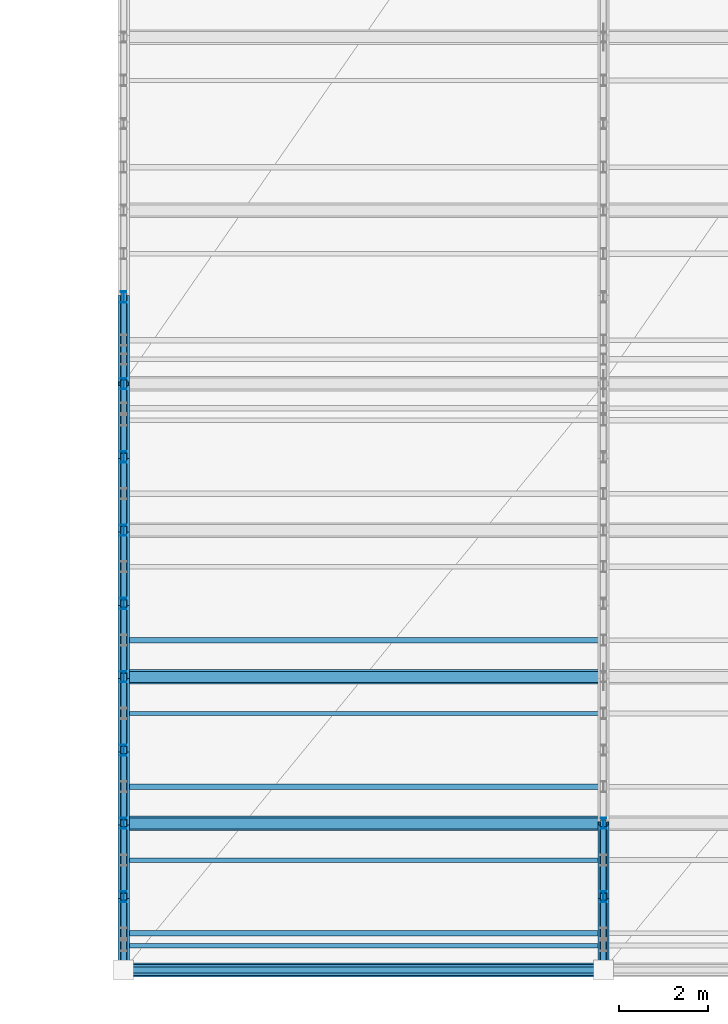
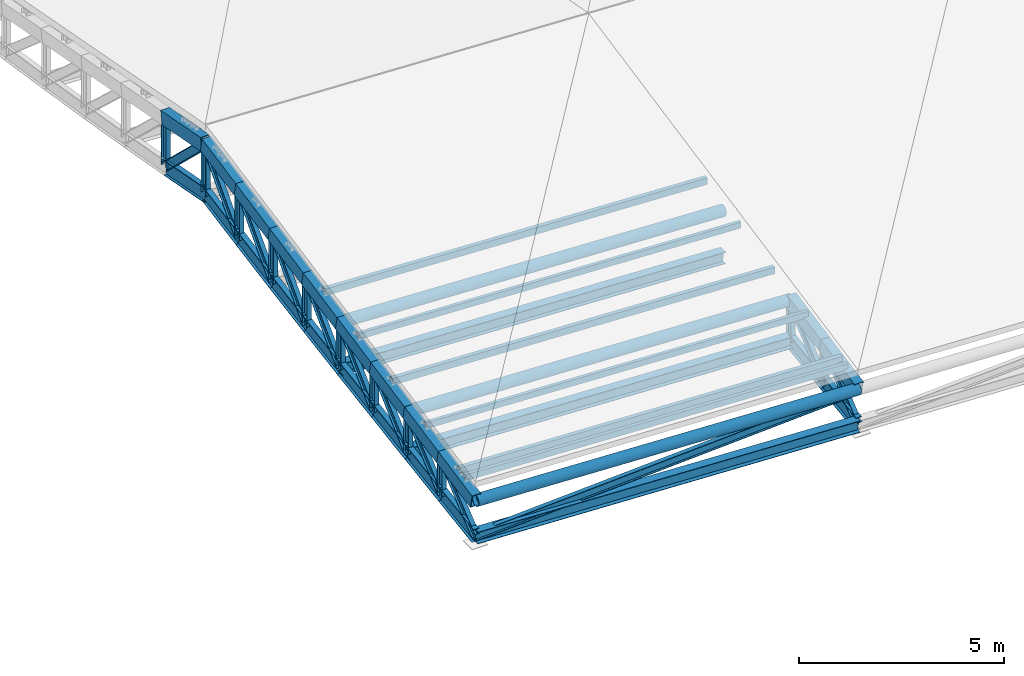
# One storey, part 13 of 89: 35 members, 22 beams.
"""IFC4 building model written with IfcOpenShell, lengths in metres."""

from ifc_helpers import new_model, si_unit, direction, frame, origin, origin_2d, place, context, subcontext, project, spatial, hollow_rectangle, hollow_circle, i_section, extrude, material, material_profile, profile_set, type_object, element, save


model = new_model("IFC4")

# Units and contexts
model_context = context("Model", 3, precision=1e-05, world=origin(), true_north=direction((0.0, 1.0)))
body_context = subcontext(model_context, "Body", "Model", "MODEL_VIEW")
ifc_project = project(units=[si_unit("LENGTHUNIT", "METRE"), si_unit("AREAUNIT", "SQUARE_METRE"), si_unit("VOLUMEUNIT", "CUBIC_METRE"), si_unit("PLANEANGLEUNIT", "RADIAN"), si_unit("MASSUNIT", "GRAM", prefix="KILO")], contexts=[model_context])

# Site, building, storey
site_placement = place(None, origin())
site = spatial("IfcSite", under=ifc_project, at=site_placement, CompositionType="ELEMENT")
building_placement = place(site_placement, origin())
building = spatial("IfcBuilding", under=site, at=building_placement, Name="Suirenkawa Promenade Aquatics Centre", CompositionType="ELEMENT")
storey_placement = place(building_placement, frame((0.0, 0.0, 9.60009765625)))
storey = spatial("IfcBuildingStorey", under=building, at=storey_placement, Name="L02", CompositionType="ELEMENT", Elevation=9.60009765625)

# Beams
ifc_material = material(Name="Steel IS 2062 E350 (Grade 350)", Category="steel")
ifc_material_profile_1 = material_profile(ifc_material, i_section(OverallWidth=0.14990234375, OverallDepth=0.449951171875, WebThickness=0.009033203125, FlangeThickness=0.01708984375, at=origin_2d()), Name="ISMB 450", Category="steel")
ifc_profile_set_1 = profile_set([ifc_material_profile_1], Name="Steel IS 2062 E350 (Grade 350)")
beam_type_1 = type_object("IfcBeamType", Name="BT-STL-ISMB450", PredefinedType="BEAM", material=ifc_profile_set_1)
beam_1_placement = place(storey_placement, frame((79.199951171875, 0.0, -1.260009765625), z_axis=(0.0, 0.988714190876, 0.149814047271), x_axis=(-1.0, 0.0, 0.0)))
element("IfcBeam", 1, at=beam_1_placement, inside=storey, type_object=beam_type_1, Name="ROOF TRUSS V3 bottom chord BM-08 BM-2576", PredefinedType="BEAM", context=body_context, shape_type="SweptSolid", body=[
    extrude(i_section(OverallWidth=0.14990234375, OverallDepth=0.449951171875, WebThickness=0.009033203125, FlangeThickness=0.01708984375, at=origin_2d()), origin(), (0.0, 0.0, 1.0), 1.668701171875),
])
beam_2_placement = place(storey_placement, frame((79.199951171875, 1.64990234375, -1.010009765625), z_axis=(0.0, 0.988368316367, 0.152079160974), x_axis=(-1.0, 0.0, 0.0)))
element("IfcBeam", 2, at=beam_2_placement, inside=storey, type_object=beam_type_1, Name="ROOF TRUSS V3 bottom chord BM-08 BM-2578", PredefinedType="BEAM", context=body_context, shape_type="SweptSolid", body=[
    extrude(i_section(OverallWidth=0.14990234375, OverallDepth=0.449951171875, WebThickness=0.009033203125, FlangeThickness=0.01708984375, at=origin_2d()), origin(), (0.0, 0.0, 1.0), 1.669677734375),
])
beam_3_placement = place(storey_placement, frame((79.199951171875, 3.300048828125, -0.756103515625), z_axis=(0.0, 0.987898893067, 0.155099249119), x_axis=(-1.0, 0.0, 0.0)))
element("IfcBeam", 3, at=beam_3_placement, inside=storey, type_object=beam_type_1, Name="ROOF TRUSS V3 bottom chord BM-08 BM-2580", PredefinedType="BEAM", context=body_context, shape_type="SweptSolid", body=[
    extrude(i_section(OverallWidth=0.14990234375, OverallDepth=0.449951171875, WebThickness=0.009033203125, FlangeThickness=0.01708984375, at=origin_2d()), origin(), (0.0, 0.0, 1.0), 1.670166015625),
])
beam_4_placement = place(storey_placement, frame((79.199951171875, 4.949951171875, -0.4970703125), z_axis=(0.0, 0.987359371107, 0.158497546627), x_axis=(-1.0, 0.0, 0.0)))
element("IfcBeam", 4, at=beam_4_placement, inside=storey, type_object=beam_type_1, Name="ROOF TRUSS V3 bottom chord BM-08 BM-2582", PredefinedType="BEAM", context=body_context, shape_type="SweptSolid", body=[
    extrude(i_section(OverallWidth=0.14990234375, OverallDepth=0.449951171875, WebThickness=0.009033203125, FlangeThickness=0.01708984375, at=origin_2d()), origin(), (0.0, 0.0, 1.0), 1.67138671875),
])
beam_5_placement = place(storey_placement, frame((79.199951171875, 6.60009765625, -0.232177734375), z_axis=(0.0, 0.986283257841, 0.165061610627), x_axis=(-1.0, 0.0, 0.0)))
element("IfcBeam", 5, at=beam_5_placement, inside=storey, type_object=beam_type_1, Name="ROOF TRUSS V3 bottom chord BM-08 BM-2584", PredefinedType="BEAM", context=body_context, shape_type="SweptSolid", body=[
    extrude(i_section(OverallWidth=0.14990234375, OverallDepth=0.449951171875, WebThickness=0.009033203125, FlangeThickness=0.01708984375, at=origin_2d()), origin(), (0.0, 0.0, 1.0), 1.6728515625),
])
beam_6_placement = place(storey_placement, frame((79.199951171875, 8.25, 0.0439453125), z_axis=(0.0, 0.985219243782, 0.171298107642), x_axis=(-1.0, 0.0, 0.0)))
element("IfcBeam", 6, at=beam_6_placement, inside=storey, type_object=beam_type_1, Name="ROOF TRUSS V3 bottom chord BM-08 BM-2586", PredefinedType="BEAM", context=body_context, shape_type="SweptSolid", body=[
    extrude(i_section(OverallWidth=0.14990234375, OverallDepth=0.449951171875, WebThickness=0.009033203125, FlangeThickness=0.01708984375, at=origin_2d()), origin(), (0.0, 0.0, 1.0), 1.674560546875),
])
beam_7_placement = place(storey_placement, frame((79.199951171875, 9.89990234375, 0.330810546875), z_axis=(0.0, 0.983867580991, 0.178898247823), x_axis=(-1.0, 0.0, 0.0)))
element("IfcBeam", 7, at=beam_7_placement, inside=storey, type_object=beam_type_1, Name="ROOF TRUSS V3 bottom chord BM-08 BM-2588", PredefinedType="BEAM", context=body_context, shape_type="SweptSolid", body=[
    extrude(i_section(OverallWidth=0.14990234375, OverallDepth=0.449951171875, WebThickness=0.009033203125, FlangeThickness=0.01708984375, at=origin_2d()), origin(), (0.0, 0.0, 1.0), 1.67724609375),
])
beam_8_placement = place(storey_placement, frame((79.199951171875, 11.550048828125, 0.630859375), z_axis=(0.0, 0.982478263587, 0.186377202415), x_axis=(-1.0, 0.0, 0.0)))
element("IfcBeam", 8, at=beam_8_placement, inside=storey, type_object=beam_type_1, Name="ROOF TRUSS V3 bottom chord BM-08 BM-2590", PredefinedType="BEAM", context=body_context, shape_type="SweptSolid", body=[
    extrude(i_section(OverallWidth=0.14990234375, OverallDepth=0.449951171875, WebThickness=0.009033203125, FlangeThickness=0.01708984375, at=origin_2d()), origin(), (0.0, 0.0, 1.0), 1.679443359375),
])
beam_9_placement = place(storey_placement, frame((79.199951171875, 13.199951171875, 0.94384765625), z_axis=(0.0, 0.982391279596, -0.186835151334), x_axis=(-1.0, 0.0, 0.0)))
element("IfcBeam", 9, at=beam_9_placement, inside=storey, type_object=beam_type_1, Name="ROOF TRUSS V3 bottom chord BM-08 BM-2592", PredefinedType="BEAM", context=body_context, shape_type="SweptSolid", body=[
    extrude(i_section(OverallWidth=0.14990234375, OverallDepth=0.449951171875, WebThickness=0.009033203125, FlangeThickness=0.01708984375, at=origin_2d()), origin(), (0.0, 0.0, 1.0), 1.98486328125),
])
beam_10_placement = place(storey_placement, frame((90.0, 0.0, -1.710205078125), z_axis=(0.0, 0.988714190876, 0.149814047271), x_axis=(-1.0, 0.0, 0.0)))
element("IfcBeam", 10, at=beam_10_placement, inside=storey, type_object=beam_type_1, Name="ROOF TRUSS V3 bottom chord BM-08 BM-2608", PredefinedType="BEAM", context=body_context, shape_type="SweptSolid", body=[
    extrude(i_section(OverallWidth=0.14990234375, OverallDepth=0.449951171875, WebThickness=0.009033203125, FlangeThickness=0.01708984375, at=origin_2d()), origin(), (0.0, 0.0, 1.0), 1.668701171875),
])
beam_11_placement = place(storey_placement, frame((90.0, 1.64990234375, -1.460205078125), z_axis=(0.0, 0.988346326675, 0.152222004153), x_axis=(-1.0, 0.0, 0.0)))
element("IfcBeam", 11, at=beam_11_placement, inside=storey, type_object=beam_type_1, Name="ROOF TRUSS V3 bottom chord BM-08 BM-2610", PredefinedType="BEAM", context=body_context, shape_type="SweptSolid", body=[
    extrude(i_section(OverallWidth=0.14990234375, OverallDepth=0.449951171875, WebThickness=0.009033203125, FlangeThickness=0.01708984375, at=origin_2d()), origin(), (0.0, 0.0, 1.0), 1.669677734375),
])
ifc_material_profile_2 = material_profile(ifc_material, hollow_rectangle(XDim=0.25, YDim=0.39990234375, WallThickness=0.01611328125, at=origin_2d()), Name="RHS 400x250x16", Category="steel")
ifc_profile_set_2 = profile_set([ifc_material_profile_2], Name="Steel IS 2062 E350 (Grade 350)")
beam_type_2 = type_object("IfcBeamType", Name="BT-TC-RHS400", PredefinedType="BEAM", material=ifc_profile_set_2)
beam_12_placement = place(storey_placement, frame((79.199951171875, 0.0, -0.210205078125), z_axis=(0.0, 0.980457722696, 0.196729901151), x_axis=(-1.0, 0.0, 0.0)))
element("IfcBeam", 12, at=beam_12_placement, inside=storey, type_object=beam_type_2, Name="ROOF TRUSS V3 top chord TC-03 BM-2575", PredefinedType="BEAM", context=body_context, shape_type="SweptSolid", body=[
    extrude(hollow_rectangle(XDim=0.25, YDim=0.39990234375, WallThickness=0.01611328125, at=origin_2d()), origin(), (0.0, 0.0, 1.0), 1.682861328125),
])
beam_13_placement = place(storey_placement, frame((79.199951171875, 1.64990234375, 0.120849609375), z_axis=(0.0, 0.980351285841, 0.197259616621), x_axis=(-1.0, 0.0, 0.0)))
element("IfcBeam", 13, at=beam_13_placement, inside=storey, type_object=beam_type_2, Name="ROOF TRUSS V3 top chord TC-03 BM-2577", PredefinedType="BEAM", context=body_context, shape_type="SweptSolid", body=[
    extrude(hollow_rectangle(XDim=0.25, YDim=0.39990234375, WallThickness=0.01611328125, at=origin_2d()), origin(), (0.0, 0.0, 1.0), 1.68310546875),
])
beam_14_placement = place(storey_placement, frame((79.199951171875, 3.300048828125, 0.452880859375), z_axis=(0.0, 0.980457722696, 0.196729901151), x_axis=(-1.0, 0.0, 0.0)))
element("IfcBeam", 14, at=beam_14_placement, inside=storey, type_object=beam_type_2, Name="ROOF TRUSS V3 top chord TC-03 BM-2579", PredefinedType="BEAM", context=body_context, shape_type="SweptSolid", body=[
    extrude(hollow_rectangle(XDim=0.25, YDim=0.39990234375, WallThickness=0.01611328125, at=origin_2d()), origin(), (0.0, 0.0, 1.0), 1.682861328125),
])
beam_15_placement = place(storey_placement, frame((79.199951171875, 4.949951171875, 0.783935546875), z_axis=(0.0, 0.980463336519, 0.196701921042), x_axis=(-1.0, 0.0, 0.0)))
element("IfcBeam", 15, at=beam_15_placement, inside=storey, type_object=beam_type_2, Name="ROOF TRUSS V3 top chord TC-03 BM-2581", PredefinedType="BEAM", context=body_context, shape_type="SweptSolid", body=[
    extrude(hollow_rectangle(XDim=0.25, YDim=0.39990234375, WallThickness=0.01611328125, at=origin_2d()), origin(), (0.0, 0.0, 1.0), 1.68310546875),
])
for number, where, z_axis, x_axis, name in (
    (16, (79.199951171875, 6.60009765625, 1.114990234375), (0.0, 0.980485697583, 0.196590429154), (-1.0, 0.0, 0.0), "ROOF TRUSS V3 top chord TC-03 BM-2583"),
    (17, (79.199951171875, 8.25, 1.44580078125), (0.0, 0.980345640785, 0.197287669646), (-1.0, 0.0, 0.0), "ROOF TRUSS V3 top chord TC-03 BM-2585"),
):
    element("IfcBeam", number, at=place(storey_placement, frame(where, z_axis=z_axis, x_axis=x_axis)), inside=storey, type_object=beam_type_2, Name=name, PredefinedType="BEAM", context=body_context, shape_type="SweptSolid", body=[
        extrude(hollow_rectangle(XDim=0.25, YDim=0.39990234375, WallThickness=0.01611328125, at=origin_2d()), origin(), (0.0, 0.0, 1.0), 1.682861328125),
    ])
beam_16_placement = place(storey_placement, frame((79.199951171875, 9.89990234375, 1.77783203125), z_axis=(0.0, 0.980463336519, 0.196701921042), x_axis=(-1.0, 0.0, 0.0)))
element("IfcBeam", 18, at=beam_16_placement, inside=storey, type_object=beam_type_2, Name="ROOF TRUSS V3 top chord TC-03 BM-2587", PredefinedType="BEAM", context=body_context, shape_type="SweptSolid", body=[
    extrude(hollow_rectangle(XDim=0.25, YDim=0.39990234375, WallThickness=0.01611328125, at=origin_2d()), origin(), (0.0, 0.0, 1.0), 1.68310546875),
])
beam_17_placement = place(storey_placement, frame((79.199951171875, 11.550048828125, 2.10888671875), z_axis=(0.0, 0.980457722696, 0.196729901151), x_axis=(-1.0, 0.0, 0.0)))
element("IfcBeam", 19, at=beam_17_placement, inside=storey, type_object=beam_type_2, Name="ROOF TRUSS V3 top chord TC-03 BM-2589", PredefinedType="BEAM", context=body_context, shape_type="SweptSolid", body=[
    extrude(hollow_rectangle(XDim=0.25, YDim=0.39990234375, WallThickness=0.01611328125, at=origin_2d()), origin(), (0.0, 0.0, 1.0), 1.682861328125),
])
beam_18_placement = place(storey_placement, frame((79.199951171875, 13.199951171875, 2.43994140625), z_axis=(0.0, 0.98254898431, -0.186004014558), x_axis=(-1.0, 0.0, 0.0)))
element("IfcBeam", 20, at=beam_18_placement, inside=storey, type_object=beam_type_2, Name="ROOF TRUSS V3 top chord TC-03 BM-2591", PredefinedType="BEAM", context=body_context, shape_type="SweptSolid", body=[
    extrude(hollow_rectangle(XDim=0.25, YDim=0.39990234375, WallThickness=0.01611328125, at=origin_2d()), origin(), (0.0, 0.0, 1.0), 1.984619140625),
])
beam_19_placement = place(storey_placement, frame((90.0, 0.0, -0.66015625), z_axis=(0.0, 0.980457722696, 0.196729901151), x_axis=(-1.0, 0.0, 0.0)))
element("IfcBeam", 21, at=beam_19_placement, inside=storey, type_object=beam_type_2, Name="ROOF TRUSS V3 top chord TC-03 BM-2607", PredefinedType="BEAM", context=body_context, shape_type="SweptSolid", body=[
    extrude(hollow_rectangle(XDim=0.25, YDim=0.39990234375, WallThickness=0.01611328125, at=origin_2d()), origin(), (0.0, 0.0, 1.0), 1.682861328125),
])
beam_20_placement = place(storey_placement, frame((90.0, 1.64990234375, -0.3291015625), z_axis=(0.0, 0.980351285841, 0.197259616621), x_axis=(-1.0, 0.0, 0.0)))
element("IfcBeam", 22, at=beam_20_placement, inside=storey, type_object=beam_type_2, Name="ROOF TRUSS V3 top chord TC-03 BM-2609", PredefinedType="BEAM", context=body_context, shape_type="SweptSolid", body=[
    extrude(hollow_rectangle(XDim=0.25, YDim=0.39990234375, WallThickness=0.01611328125, at=origin_2d()), origin(), (0.0, 0.0, 1.0), 1.68310546875),
])

# Members
ifc_material_profile_3 = material_profile(ifc_material, hollow_circle(Radius=0.162109375, WallThickness=0.013916015625, at=origin_2d()), Name="CHS 324x14", Category="steel")
ifc_profile_set_3 = profile_set([ifc_material_profile_3], Name="Steel IS 2062 E350 (Grade 350)")
member_type_1 = type_object("IfcMemberType", Name="MT-CHORD-CHS324", PredefinedType="CHORD", material=ifc_profile_set_3)
for number, where, z_axis, x_axis, name in (
    (23, (79.199951171875, 0.0, -0.210205078125), (0.9991332688, 0.0, -0.041625847467), (0.0, 1.0, 0.0), "ROOF TRUSS V3 eave top chord CH-01 MB-1493"),
    (24, (79.199951171875, 3.300048828125, 0.452880859375), (0.9991332688, 0.0, -0.041625847467), (0.0, 1.0, 0.0), "ROOF TRUSS V3 tie chord CH-01 MB-1535"),
    (25, (79.199951171875, 6.60009765625, 1.114990234375), (0.999132329203, 0.0, -0.041648394219), (0.0, 1.0, 0.0), "ROOF TRUSS V3 tie chord CH-01 MB-1549"),
):
    element("IfcMember", number, at=place(storey_placement, frame(where, z_axis=z_axis, x_axis=x_axis)), inside=storey, type_object=member_type_1, Name=name, PredefinedType="CHORD", context=body_context, shape_type="SweptSolid", body=[
        extrude(hollow_circle(Radius=0.162109375, WallThickness=0.013916015625, at=origin_2d()), origin(), (0.0, 0.0, 1.0), 10.809326171875),
    ])
ifc_material_profile_4 = material_profile(ifc_material, i_section(OverallWidth=0.25, OverallDepth=0.35009765625, WebThickness=0.010009765625, FlangeThickness=0.011962890625, at=origin_2d()), Name="ISHB 350", Category="steel")
ifc_profile_set_4 = profile_set([ifc_material_profile_4], Name="Steel IS 2062 E350 (Grade 350)")
member_type_2 = type_object("IfcMemberType", Name="MT-CHORD-ISHB350", PredefinedType="CHORD", material=ifc_profile_set_4)
for number, where, z_axis, x_axis, name in (
    (26, (79.199951171875, 0.0, -1.260009765625), (0.999132329203, 0.0, -0.041648394219), (0.0, 1.0, 0.0), "ROOF TRUSS V3 eave bottom chord CH-04 MB-1494"),
    (27, (79.199951171875, 3.300048828125, -0.756103515625), (0.9991332688, 0.0, -0.041625847467), (0.0, 1.0, 0.0), "ROOF TRUSS V3 bottom tie CH-04 MB-1536"),
    (28, (79.199951171875, 6.60009765625, -0.232177734375), (0.9991332688, 0.0, -0.041625847467), (0.0, 1.0, 0.0), "ROOF TRUSS V3 bottom tie CH-04 MB-1550"),
):
    element("IfcMember", number, at=place(storey_placement, frame(where, z_axis=z_axis, x_axis=x_axis)), inside=storey, type_object=member_type_2, Name=name, PredefinedType="CHORD", context=body_context, shape_type="SweptSolid", body=[
        extrude(i_section(OverallWidth=0.25, OverallDepth=0.35009765625, WebThickness=0.010009765625, FlangeThickness=0.011962890625, at=origin_2d()), origin(), (0.0, 0.0, 1.0), 10.809326171875),
    ])
ifc_material_profile_5 = material_profile(ifc_material, hollow_rectangle(XDim=0.10009765625, YDim=0.179931640625, WallThickness=0.008056640625, at=origin_2d()), Name="RHS 180x100x8", Category="steel")
ifc_profile_set_5 = profile_set([ifc_material_profile_5], Name="Steel IS 2062 E350 (Grade 350)")
member_type_3 = type_object("IfcMemberType", Name="MT-PURLIN-RHS180", PredefinedType="PURLIN", material=ifc_profile_set_5)
for number, where, z_axis, x_axis, name in (
    (29, (79.199951171875, 0.550048828125, 0.15185546875), (0.9991332688, 0.0, -0.041625847467), (0.0, 1.0, 0.0), "ROOF TRUSS Roof purlin PU-01 MB-2605"),
    (30, (79.199951171875, 2.47509765625, 0.538818359375), (0.9991332688, 0.0, -0.041625847467), (0.0, 1.0, 0.0), "ROOF TRUSS Roof purlin PU-01 MB-2611"),
    (31, (79.199951171875, 5.77490234375, 1.200927734375), (0.9991332688, 0.0, -0.041625847467), (0.0, 1.0, 0.0), "ROOF TRUSS Roof purlin PU-01 MB-2617"),
):
    element("IfcMember", number, at=place(storey_placement, frame(where, z_axis=z_axis, x_axis=x_axis)), inside=storey, type_object=member_type_3, Name=name, PredefinedType="PURLIN", context=body_context, shape_type="SweptSolid", body=[
        extrude(hollow_rectangle(XDim=0.10009765625, YDim=0.179931640625, WallThickness=0.008056640625, at=origin_2d()), origin(), (0.0, 0.0, 1.0), 10.809326171875),
    ])
ifc_material_profile_6 = material_profile(ifc_material, hollow_rectangle(XDim=0.1201171875, YDim=0.199951171875, WallThickness=0.008056640625, at=origin_2d()), Name="RHS 200x120x8", Category="steel")
ifc_profile_set_6 = profile_set([ifc_material_profile_6], Name="Steel IS 2062 E350 (Grade 350)")
member_type_4 = type_object("IfcMemberType", Name="MT-PURLIN-RHS200", PredefinedType="PURLIN", material=ifc_profile_set_6)
for number, where, z_axis, x_axis, name in (
    (32, (79.199951171875, 0.824951171875, 0.19580078125), (0.9991332688, 0.0, -0.041625847467), (0.0, 1.0, 0.0), "ROOF TRUSS Roof purlin PU-02 MB-2608"),
    (33, (79.199951171875, 4.125, 0.85791015625), (0.9991332688, 0.0, -0.041625847467), (0.0, 1.0, 0.0), "ROOF TRUSS Roof purlin PU-02 MB-2614"),
    (34, (79.199951171875, 7.425048828125, 1.52099609375), (0.999132329203, 0.0, -0.041648394219), (0.0, 1.0, 0.0), "ROOF TRUSS Roof purlin PU-02 MB-2620"),
):
    element("IfcMember", number, at=place(storey_placement, frame(where, z_axis=z_axis, x_axis=x_axis)), inside=storey, type_object=member_type_4, Name=name, PredefinedType="PURLIN", context=body_context, shape_type="SweptSolid", body=[
        extrude(hollow_rectangle(XDim=0.1201171875, YDim=0.199951171875, WallThickness=0.008056640625, at=origin_2d()), origin(), (0.0, 0.0, 1.0), 10.809326171875),
    ])
ifc_material_profile_7 = material_profile(ifc_material, i_section(OverallWidth=0.125, OverallDepth=0.25, WebThickness=0.007080078125, FlangeThickness=0.012939453125, at=origin_2d()), Name="ISMB 250", Category="steel")
ifc_profile_set_7 = profile_set([ifc_material_profile_7], Name="Steel IS 2062 E350 (Grade 350)")
member_type_5 = type_object("IfcMemberType", Name="MT-WEB-CHS168", PredefinedType="BRACE", material=ifc_profile_set_7)
member_1_placement = place(storey_placement, frame((79.199951171875, 0.0, -1.260009765625), z_axis=(0.0, 0.766861576126, 0.64181252953), x_axis=(-1.0, 0.0, 0.0)))
element("IfcMember", 35, at=member_1_placement, inside=storey, type_object=member_type_5, Name="ROOF TRUSS V3 web diagonal TD-03 MB-1276", PredefinedType="BRACE", context=body_context, shape_type="SweptSolid", body=[
    extrude(i_section(OverallWidth=0.125, OverallDepth=0.25, WebThickness=0.007080078125, FlangeThickness=0.012939453125, at=origin_2d()), origin(), (0.0, 0.0, 1.0), 2.151611328125),
])
member_2_placement = place(storey_placement, frame((79.199951171875, 1.64990234375, -1.010009765625), z_axis=(0.0, 0.748288234749, 0.663373739106), x_axis=(-1.0, 0.0, 0.0)))
element("IfcMember", 36, at=member_2_placement, inside=storey, type_object=member_type_5, Name="ROOF TRUSS V3 web diagonal TD-03 MB-1277", PredefinedType="BRACE", context=body_context, shape_type="SweptSolid", body=[
    extrude(i_section(OverallWidth=0.125, OverallDepth=0.25, WebThickness=0.007080078125, FlangeThickness=0.012939453125, at=origin_2d()), origin(), (0.0, 0.0, 1.0), 2.205322265625),
])
member_3_placement = place(storey_placement, frame((79.199951171875, 3.300048828125, -0.756103515625), z_axis=(0.0, 0.731026490239, 0.682349082632), x_axis=(-1.0, 0.0, 0.0)))
element("IfcMember", 37, at=member_3_placement, inside=storey, type_object=member_type_5, Name="ROOF TRUSS V3 web diagonal TD-03 MB-1278", PredefinedType="BRACE", context=body_context, shape_type="SweptSolid", body=[
    extrude(i_section(OverallWidth=0.125, OverallDepth=0.25, WebThickness=0.007080078125, FlangeThickness=0.012939453125, at=origin_2d()), origin(), (0.0, 0.0, 1.0), 2.257080078125),
])
member_4_placement = place(storey_placement, frame((79.199951171875, 4.949951171875, -0.4970703125), z_axis=(0.0, 0.715313433298, 0.698803757963), x_axis=(-1.0, 0.0, 0.0)))
element("IfcMember", 38, at=member_4_placement, inside=storey, type_object=member_type_5, Name="ROOF TRUSS V3 web diagonal TD-03 MB-1279", PredefinedType="BRACE", context=body_context, shape_type="SweptSolid", body=[
    extrude(i_section(OverallWidth=0.125, OverallDepth=0.25, WebThickness=0.007080078125, FlangeThickness=0.012939453125, at=origin_2d()), origin(), (0.0, 0.0, 1.0), 2.306884765625),
])
member_5_placement = place(storey_placement, frame((79.199951171875, 6.60009765625, -0.232177734375), z_axis=(0.0, 0.701116216261, 0.713047018994), x_axis=(-1.0, 0.0, 0.0)))
element("IfcMember", 39, at=member_5_placement, inside=storey, type_object=member_type_5, Name="ROOF TRUSS V3 web diagonal TD-03 MB-1280", PredefinedType="BRACE", context=body_context, shape_type="SweptSolid", body=[
    extrude(i_section(OverallWidth=0.125, OverallDepth=0.25, WebThickness=0.007080078125, FlangeThickness=0.012939453125, at=origin_2d()), origin(), (0.0, 0.0, 1.0), 2.353271484375),
])
member_6_placement = place(storey_placement, frame((79.199951171875, 8.25, 0.0439453125), z_axis=(0.0, 0.689344366045, 0.724433809952), x_axis=(-1.0, 0.0, 0.0)))
element("IfcMember", 40, at=member_6_placement, inside=storey, type_object=member_type_5, Name="ROOF TRUSS V3 web diagonal TD-03 MB-1281", PredefinedType="BRACE", context=body_context, shape_type="SweptSolid", body=[
    extrude(i_section(OverallWidth=0.125, OverallDepth=0.25, WebThickness=0.007080078125, FlangeThickness=0.012939453125, at=origin_2d()), origin(), (0.0, 0.0, 1.0), 2.3935546875),
])
member_7_placement = place(storey_placement, frame((79.199951171875, 9.89990234375, 0.330810546875), z_axis=(0.0, 0.680246477902, 0.732983444084), x_axis=(-1.0, 0.0, 0.0)))
element("IfcMember", 41, at=member_7_placement, inside=storey, type_object=member_type_5, Name="ROOF TRUSS V3 web diagonal TD-03 MB-1282", PredefinedType="BRACE", context=body_context, shape_type="SweptSolid", body=[
    extrude(i_section(OverallWidth=0.125, OverallDepth=0.25, WebThickness=0.007080078125, FlangeThickness=0.012939453125, at=origin_2d()), origin(), (0.0, 0.0, 1.0), 2.42578125),
])
member_8_placement = place(storey_placement, frame((79.199951171875, 11.550048828125, 0.630859375), z_axis=(0.0, 0.673853139616, 0.738865309938), x_axis=(-1.0, 0.0, 0.0)))
element("IfcMember", 42, at=member_8_placement, inside=storey, type_object=member_type_5, Name="ROOF TRUSS V3 web diagonal TD-03 MB-1283", PredefinedType="BRACE", context=body_context, shape_type="SweptSolid", body=[
    extrude(i_section(OverallWidth=0.125, OverallDepth=0.25, WebThickness=0.007080078125, FlangeThickness=0.012939453125, at=origin_2d()), origin(), (0.0, 0.0, 1.0), 2.448486328125),
])
member_9_placement = place(storey_placement, frame((79.199951171875, 13.199951171875, 2.43994140625), z_axis=(0.0, 0.722313777242, -0.691565475719), x_axis=(-1.0, 0.0, 0.0)))
element("IfcMember", 43, at=member_9_placement, inside=storey, type_object=member_type_5, Name="ROOF TRUSS V3 web diagonal TD-03 MB-1284", PredefinedType="BRACE", context=body_context, shape_type="SweptSolid", body=[
    extrude(i_section(OverallWidth=0.125, OverallDepth=0.25, WebThickness=0.007080078125, FlangeThickness=0.012939453125, at=origin_2d()), origin(), (0.0, 0.0, 1.0), 2.69970703125),
])
member_10_placement = place(storey_placement, frame((79.199951171875, 1.64990234375, -1.010009765625), z_axis=(0.0, 0.0, 1.0), x_axis=(1.0, 0.0, 0.0)))
element("IfcMember", 44, at=member_10_placement, inside=storey, type_object=member_type_5, Name="ROOF TRUSS V3 web post TD-03 MB-1292", PredefinedType="BRACE", context=body_context, shape_type="SweptSolid", body=[
    extrude(i_section(OverallWidth=0.125, OverallDepth=0.25, WebThickness=0.007080078125, FlangeThickness=0.012939453125, at=origin_2d()), origin(), (0.0, 0.0, 1.0), 1.130859375),
])
member_11_placement = place(storey_placement, frame((79.199951171875, 3.300048828125, -0.756103515625), z_axis=(0.0, 0.0, 1.0), x_axis=(1.0, 0.0, 0.0)))
element("IfcMember", 45, at=member_11_placement, inside=storey, type_object=member_type_5, Name="ROOF TRUSS V3 web post TD-03 MB-1293", PredefinedType="BRACE", context=body_context, shape_type="SweptSolid", body=[
    extrude(i_section(OverallWidth=0.125, OverallDepth=0.25, WebThickness=0.007080078125, FlangeThickness=0.012939453125, at=origin_2d()), origin(), (0.0, 0.0, 1.0), 1.208984375),
])
member_12_placement = place(storey_placement, frame((79.199951171875, 4.949951171875, -0.4970703125), z_axis=(0.0, 0.0, 1.0), x_axis=(1.0, 0.0, 0.0)))
element("IfcMember", 46, at=member_12_placement, inside=storey, type_object=member_type_5, Name="ROOF TRUSS V3 web post TD-03 MB-1294", PredefinedType="BRACE", context=body_context, shape_type="SweptSolid", body=[
    extrude(i_section(OverallWidth=0.125, OverallDepth=0.25, WebThickness=0.007080078125, FlangeThickness=0.012939453125, at=origin_2d()), origin(), (0.0, 0.0, 1.0), 1.281005859375),
])
member_13_placement = place(storey_placement, frame((79.199951171875, 6.60009765625, -0.232177734375), z_axis=(0.0, 0.0, 1.0), x_axis=(1.0, 0.0, 0.0)))
element("IfcMember", 47, at=member_13_placement, inside=storey, type_object=member_type_5, Name="ROOF TRUSS V3 web post TD-03 MB-1295", PredefinedType="BRACE", context=body_context, shape_type="SweptSolid", body=[
    extrude(i_section(OverallWidth=0.125, OverallDepth=0.25, WebThickness=0.007080078125, FlangeThickness=0.012939453125, at=origin_2d()), origin(), (0.0, 0.0, 1.0), 1.34716796875),
])
member_14_placement = place(storey_placement, frame((79.199951171875, 8.25, 0.0439453125), z_axis=(0.0, 0.0, 1.0), x_axis=(1.0, 0.0, 0.0)))
element("IfcMember", 48, at=member_14_placement, inside=storey, type_object=member_type_5, Name="ROOF TRUSS V3 web post TD-03 MB-1296", PredefinedType="BRACE", context=body_context, shape_type="SweptSolid", body=[
    extrude(i_section(OverallWidth=0.125, OverallDepth=0.25, WebThickness=0.007080078125, FlangeThickness=0.012939453125, at=origin_2d()), origin(), (0.0, 0.0, 1.0), 1.40185546875),
])
member_15_placement = place(storey_placement, frame((79.199951171875, 9.89990234375, 0.330810546875), z_axis=(0.0, 0.0, 1.0), x_axis=(1.0, 0.0, 0.0)))
element("IfcMember", 49, at=member_15_placement, inside=storey, type_object=member_type_5, Name="ROOF TRUSS V3 web post TD-03 MB-1297", PredefinedType="BRACE", context=body_context, shape_type="SweptSolid", body=[
    extrude(i_section(OverallWidth=0.125, OverallDepth=0.25, WebThickness=0.007080078125, FlangeThickness=0.012939453125, at=origin_2d()), origin(), (0.0, 0.0, 1.0), 1.447021484375),
])
member_16_placement = place(storey_placement, frame((79.199951171875, 11.550048828125, 0.630859375), z_axis=(0.0, 0.0, 1.0), x_axis=(1.0, 0.0, 0.0)))
element("IfcMember", 50, at=member_16_placement, inside=storey, type_object=member_type_5, Name="ROOF TRUSS V3 web post TD-03 MB-1298", PredefinedType="BRACE", context=body_context, shape_type="SweptSolid", body=[
    extrude(i_section(OverallWidth=0.125, OverallDepth=0.25, WebThickness=0.007080078125, FlangeThickness=0.012939453125, at=origin_2d()), origin(), (0.0, 0.0, 1.0), 1.47802734375),
])
member_17_placement = place(storey_placement, frame((79.199951171875, 13.199951171875, 0.94384765625), z_axis=(0.0, 0.0, 1.0), x_axis=(1.0, 0.0, 0.0)))
element("IfcMember", 51, at=member_17_placement, inside=storey, type_object=member_type_5, Name="ROOF TRUSS V3 web post TD-03 MB-1299", PredefinedType="BRACE", context=body_context, shape_type="SweptSolid", body=[
    extrude(i_section(OverallWidth=0.125, OverallDepth=0.25, WebThickness=0.007080078125, FlangeThickness=0.012939453125, at=origin_2d()), origin(), (0.0, 0.0, 1.0), 1.49609375),
])
member_18_placement = place(storey_placement, frame((79.199951171875, 15.14990234375, 0.572998046875), z_axis=(0.0, 0.0, 1.0), x_axis=(1.0, 0.0, 0.0)))
element("IfcMember", 52, at=member_18_placement, inside=storey, type_object=member_type_5, Name="ROOF TRUSS V3 web post TD-03 MB-1300", PredefinedType="BRACE", context=body_context, shape_type="SweptSolid", body=[
    extrude(i_section(OverallWidth=0.125, OverallDepth=0.25, WebThickness=0.007080078125, FlangeThickness=0.012939453125, at=origin_2d()), origin(), (0.0, 0.0, 1.0), 1.497802734375),
])
member_19_placement = place(storey_placement, frame((90.0, 0.0, -1.710205078125), z_axis=(0.0, 0.766805727189, 0.641879254026), x_axis=(-1.0, 0.0, 0.0)))
element("IfcMember", 53, at=member_19_placement, inside=storey, type_object=member_type_5, Name="ROOF TRUSS V3 web diagonal TD-03 MB-1307", PredefinedType="BRACE", context=body_context, shape_type="SweptSolid", body=[
    extrude(i_section(OverallWidth=0.125, OverallDepth=0.25, WebThickness=0.007080078125, FlangeThickness=0.012939453125, at=origin_2d()), origin(), (0.0, 0.0, 1.0), 2.151611328125),
])
member_20_placement = place(storey_placement, frame((90.0, 1.64990234375, -1.460205078125), z_axis=(0.0, 0.748233280402, 0.663435722658), x_axis=(-1.0, 0.0, 0.0)))
element("IfcMember", 54, at=member_20_placement, inside=storey, type_object=member_type_5, Name="ROOF TRUSS V3 web diagonal TD-03 MB-1308", PredefinedType="BRACE", context=body_context, shape_type="SweptSolid", body=[
    extrude(i_section(OverallWidth=0.125, OverallDepth=0.25, WebThickness=0.007080078125, FlangeThickness=0.012939453125, at=origin_2d()), origin(), (0.0, 0.0, 1.0), 2.205322265625),
])
member_21_placement = place(storey_placement, frame((90.0, 1.64990234375, -1.460205078125), z_axis=(0.0, 0.0, 1.0), x_axis=(1.0, 0.0, 0.0)))
element("IfcMember", 55, at=member_21_placement, inside=storey, type_object=member_type_5, Name="ROOF TRUSS V3 web post TD-03 MB-1323", PredefinedType="BRACE", context=body_context, shape_type="SweptSolid", body=[
    extrude(i_section(OverallWidth=0.125, OverallDepth=0.25, WebThickness=0.007080078125, FlangeThickness=0.012939453125, at=origin_2d()), origin(), (0.0, 0.0, 1.0), 1.131103515625),
])
member_22_placement = place(storey_placement, frame((90.0, 3.300048828125, -1.2060546875), z_axis=(0.0, 0.0, 1.0), x_axis=(1.0, 0.0, 0.0)))
element("IfcMember", 56, at=member_22_placement, inside=storey, type_object=member_type_5, Name="ROOF TRUSS V3 web post TD-03 MB-1324", PredefinedType="BRACE", context=body_context, shape_type="SweptSolid", body=[
    extrude(i_section(OverallWidth=0.125, OverallDepth=0.25, WebThickness=0.007080078125, FlangeThickness=0.012939453125, at=origin_2d()), origin(), (0.0, 0.0, 1.0), 1.208984375),
])
member_23_placement = place(storey_placement, frame((79.199951171875, 0.0, -1.260009765625), z_axis=(0.998461117043, 0.0, 0.055456268838), x_axis=(0.0, 1.0, 0.0)))
element("IfcMember", 57, at=member_23_placement, inside=storey, type_object=member_type_5, Name="ROOF TRUSS V3 eave web diagonal TD-03 MB-1495", PredefinedType="BRACE", context=body_context, shape_type="SweptSolid", body=[
    extrude(i_section(OverallWidth=0.125, OverallDepth=0.25, WebThickness=0.007080078125, FlangeThickness=0.012939453125, at=origin_2d()), origin(), (0.0, 0.0, 1.0), 10.816650390625),
])

save(model, "model.ifc")
